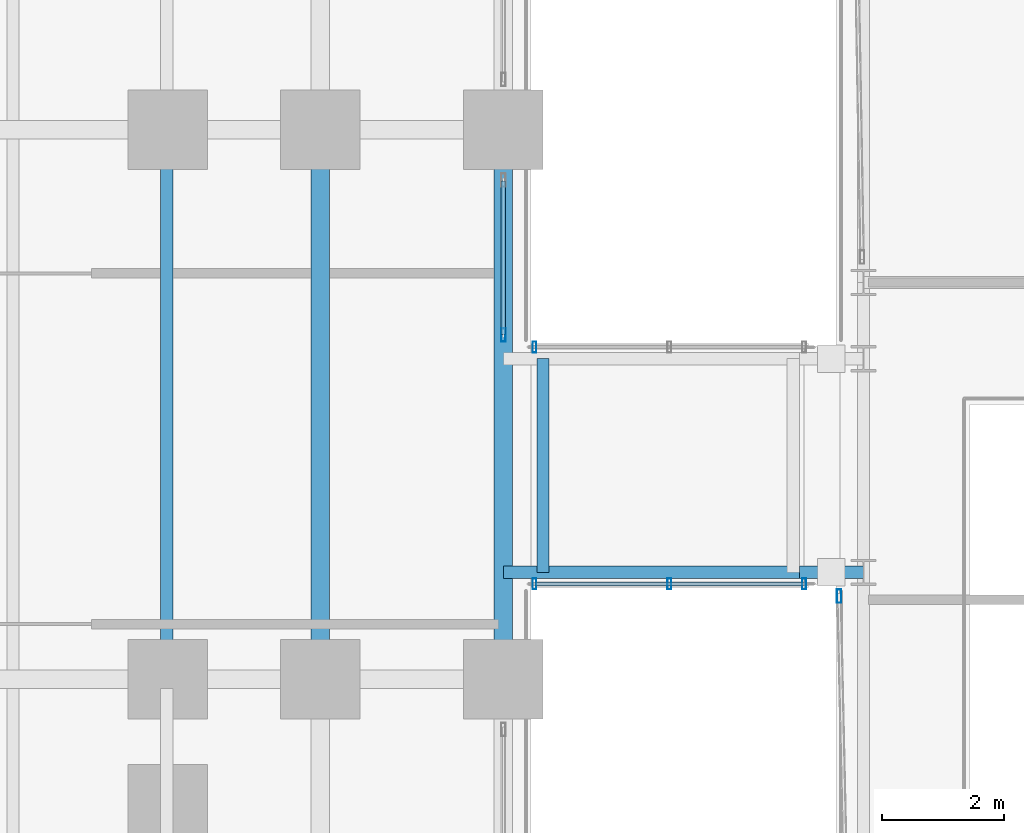
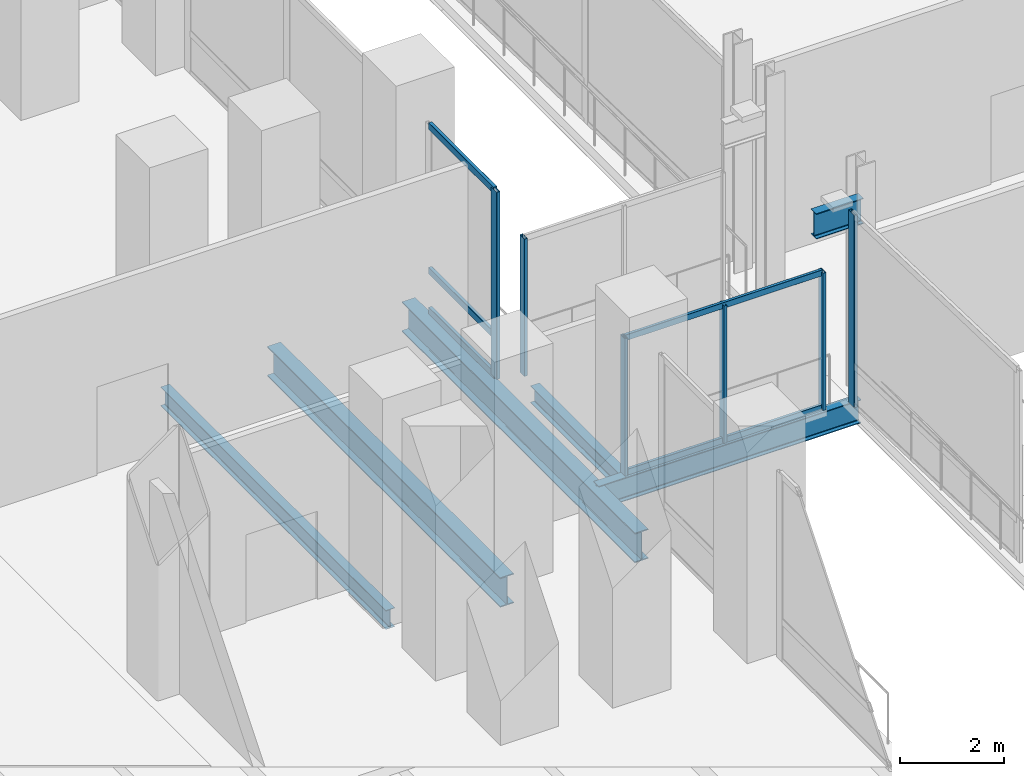
# One storey, part 14 of 31: 11 members, 6 beams, 4 elements without a shape of their own.
"""IFC4 building model written with IfcOpenShell, lengths in metres."""

from ifc_helpers import new_model, si_unit, direction, frame, origin, origin_2d, place, context, subcontext, project, spatial, hollow_rectangle, i_section, extrude, material, material_profile, profile_set, type_object, element, aggregate, save


model = new_model("IFC4")

# Units and contexts
model_context = context("Model", 3, precision=1e-05, world=origin(), true_north=direction((0.0, 1.0)))
body_context = subcontext(model_context, "Body", "Model", "MODEL_VIEW")
ifc_project = project(units=[si_unit("LENGTHUNIT", "METRE"), si_unit("AREAUNIT", "SQUARE_METRE"), si_unit("VOLUMEUNIT", "CUBIC_METRE"), si_unit("PLANEANGLEUNIT", "RADIAN"), si_unit("MASSUNIT", "GRAM", prefix="KILO")], contexts=[model_context])

# Site, building, storey
site_placement = place(None, origin())
site = spatial("IfcSite", under=ifc_project, at=site_placement, CompositionType="ELEMENT")
building_placement = place(site_placement, origin())
building = spatial("IfcBuilding", under=site, at=building_placement, Name="Noeulbin Bourse Tower", CompositionType="ELEMENT")
storey_placement = place(building_placement, frame((0.0, 0.0, 11.199951171875)))
storey = spatial("IfcBuildingStorey", under=building, at=storey_placement, Name="L03", CompositionType="ELEMENT", Elevation=11.199951171875)

# Beams
ifc_material_1 = material(Name="Steel S355", Category="steel")
ifc_material_profile_1 = material_profile(ifc_material_1, i_section(OverallWidth=0.199951171875, OverallDepth=0.550048828125, WebThickness=0.010009765625, FlangeThickness=0.01611328125, FilletRadius=0.02001953125, at=origin_2d()), Name="H-550x200x10x16", Category="LoadBearing")
ifc_profile_set_1 = profile_set([ifc_material_profile_1], Name="Steel S355")
beam_type_1 = type_object("IfcBeamType", Name="BM-GRD-550", PredefinedType="USERDEFINED", material=ifc_profile_set_1)
beam_1_placement = place(storey_placement, frame((54.550048828125, 21.75, -0.474853515625), z_axis=(1.0, 0.0, 0.0), x_axis=(0.0, 1.0, 0.0)))
element("IfcBeam", 1, at=beam_1_placement, inside=storey, type_object=beam_type_1, Name="Link Bridge Girder L03-1", ObjectType="GIRDER", PredefinedType="USERDEFINED", context=body_context, shape_type="SweptSolid", body=[
    extrude(i_section(OverallWidth=0.199951171875, OverallDepth=0.550048828125, WebThickness=0.010009765625, FlangeThickness=0.01611328125, FilletRadius=0.02001953125, at=origin_2d()), origin(), (0.0, 0.0, 1.0), 5.849853515625),
])
ifc_material_profile_2 = material_profile(ifc_material_1, i_section(OverallWidth=0.199951171875, OverallDepth=0.60009765625, WebThickness=0.010986328125, FlangeThickness=0.01708984375, FilletRadius=0.02197265625, at=origin_2d()), Name="H-600x200x11x17", Category="LoadBearing")
ifc_profile_set_2 = profile_set([ifc_material_profile_2], Name="Steel S355")
beam_type_2 = type_object("IfcBeamType", Name="BM-GRD-600", PredefinedType="USERDEFINED", material=ifc_profile_set_2)
beam_2_placement = place(storey_placement, frame((59.39990234375, 21.75, 4.22998046875), z_axis=(1.0, 0.0, 0.0), x_axis=(0.0, 1.0, 0.0)))
element("IfcBeam", 2, at=beam_2_placement, inside=storey, type_object=beam_type_2, Name="Bridge Bearing Corbel Seat L04-1", ObjectType="GIRDER", PredefinedType="USERDEFINED", context=body_context, shape_type="SweptSolid", body=[
    extrude(i_section(OverallWidth=0.199951171875, OverallDepth=0.60009765625, WebThickness=0.010986328125, FlangeThickness=0.01708984375, FilletRadius=0.02197265625, at=origin_2d()), origin(), (0.0, 0.0, 1.0), 1.050048828125),
])
ifc_material_profile_3 = material_profile(ifc_material_1, i_section(OverallWidth=0.300048828125, OverallDepth=0.699951171875, WebThickness=0.012939453125, FlangeThickness=0.02392578125, FilletRadius=0.02392578125, at=origin_2d()), Name="H-700x300x13x24", Category="LoadBearing")
ifc_profile_set_3 = profile_set([ifc_material_profile_3], Name="Steel S355")
beam_type_3 = type_object("IfcBeamType", Name="BM-GRD-700", PredefinedType="USERDEFINED", material=ifc_profile_set_3)
for number, where, z_axis, x_axis, name in (
    (3, (51.550048828125, 20.0, -0.599853515625), (0.0, 1.0, 0.0), (-1.0, 0.0, 0.0), "Podium Primary Girder NS L03-098"),
    (4, (54.550048828125, 20.0, -0.599853515625), (0.0, 1.0, 0.0), (-1.0, 0.0, 0.0), "Podium Primary Girder NS L03-104"),
):
    element("IfcBeam", number, at=place(storey_placement, frame(where, z_axis=z_axis, x_axis=x_axis)), inside=storey, type_object=beam_type_3, Name=name, ObjectType="GIRDER", PredefinedType="USERDEFINED", context=body_context, shape_type="SweptSolid", body=[
        extrude(i_section(OverallWidth=0.300048828125, OverallDepth=0.699951171875, WebThickness=0.012939453125, FlangeThickness=0.02392578125, FilletRadius=0.02392578125, at=origin_2d()), origin(), (0.0, 0.0, 1.0), 9.0),
    ])
ifc_material_profile_4 = material_profile(ifc_material_1, i_section(OverallWidth=0.199951171875, OverallDepth=0.39990234375, WebThickness=0.008056640625, FlangeThickness=0.012939453125, FilletRadius=0.01611328125, at=origin_2d()), Name="H-400x200x8x13", Category="LoadBearing")
ifc_profile_set_4 = profile_set([ifc_material_profile_4], Name="Steel S355")
beam_type_4 = type_object("IfcBeamType", Name="BM-SEC-400", PredefinedType="BEAM", material=ifc_profile_set_4)
beam_3_placement = place(storey_placement, frame((55.199951171875, 21.75, -0.39990234375), z_axis=(0.0, 1.0, 0.0), x_axis=(-1.0, 0.0, 0.0)))
element("IfcBeam", 5, at=beam_3_placement, inside=storey, type_object=beam_type_4, Name="BM-L03-BRGX-1", PredefinedType="BEAM", context=body_context, shape_type="SweptSolid", body=[
    extrude(i_section(OverallWidth=0.199951171875, OverallDepth=0.39990234375, WebThickness=0.008056640625, FlangeThickness=0.012939453125, FilletRadius=0.01611328125, at=origin_2d()), origin(), (0.0, 0.0, 1.0), 3.5),
])
ifc_material_profile_5 = material_profile(ifc_material_1, i_section(OverallWidth=0.199951171875, OverallDepth=0.449951171875, WebThickness=0.009033203125, FlangeThickness=0.013916015625, FilletRadius=0.01806640625, at=origin_2d()), Name="H-450x200x9x14", Category="LoadBearing")
ifc_profile_set_5 = profile_set([ifc_material_profile_5], Name="Steel S355")
beam_type_5 = type_object("IfcBeamType", Name="BM-SEC-450", PredefinedType="BEAM", material=ifc_profile_set_5)
beam_4_placement = place(storey_placement, frame((49.033203125, 20.14990234375, -0.474853515625), z_axis=(0.0, 1.0, 0.0), x_axis=(-1.0, 0.0, 0.0)))
element("IfcBeam", 6, at=beam_4_placement, inside=storey, type_object=beam_type_5, Name="Podium Secondary Beam L03-081", PredefinedType="BEAM", context=body_context, shape_type="SweptSolid", body=[
    extrude(i_section(OverallWidth=0.199951171875, OverallDepth=0.449951171875, WebThickness=0.009033203125, FlangeThickness=0.013916015625, FilletRadius=0.01806640625, at=origin_2d()), origin(), (0.0, 0.0, 1.0), 8.7001953125),
])

# Curtain wall, member
ifc_material_2 = material(Name="Laminated Clear Low-E Glass", Category="glass")
curtain_wall_type_1 = type_object("IfcCurtainWallType", Name="CW-SYS-1", PredefinedType="NOTDEFINED", material=ifc_material_2)
curtain_wall_1_placement = place(storey_placement, origin())
curtain_wall_1 = element("IfcCurtainWall", 7, at=curtain_wall_1_placement, inside=storey, type_object=curtain_wall_type_1, Name="Unitised Curtain Wall CW-L03-POD-E2-S1", PredefinedType="NOTDEFINED")
ifc_material_3 = material(Name="Anodised Aluminium 6063-T6", Category="aluminium")
ifc_material_profile_6 = material_profile(ifc_material_3, hollow_rectangle(XDim=0.074951171875, YDim=0.219970703125, WallThickness=0.0048828125, InnerFilletRadius=0.00244140625, OuterFilletRadius=0.0048828125, at=origin_2d()), Name="ALU-MULL-75x220x5", Category="LoadBearing")
ifc_profile_set_6 = profile_set([ifc_material_profile_6], Name="Anodised Aluminium 6063-T6")
member_type_1 = type_object("IfcMemberType", Name="CW-SYS-1-MUL", PredefinedType="MULLION", material=ifc_profile_set_6)
member_1_placement = place(storey_placement, frame((54.550048828125, 25.639892578125, -0.02001953125), z_axis=(0.0, 0.0, 1.0), x_axis=(1.0, 0.0, 0.0)))
member_1 = element("IfcMember", 8, at=member_1_placement, type_object=member_type_1, Name="Curtain Wall Mullion CW-L03-POD-E2-S1-M00", PredefinedType="MULLION", context=body_context, shape_type="SweptSolid", body=[
    extrude(hollow_rectangle(XDim=0.074951171875, YDim=0.219970703125, WallThickness=0.0048828125, InnerFilletRadius=0.00244140625, OuterFilletRadius=0.0048828125, at=origin_2d()), origin(), (0.0, 0.0, 1.0), 4.41015625),
])

curtain_wall_2_placement = place(storey_placement, origin())
curtain_wall_2 = element("IfcCurtainWall", 9, at=curtain_wall_2_placement, inside=storey, type_object=curtain_wall_type_1, Name="Unitised Curtain Wall CW-L03-MKT-W1-S2", PredefinedType="NOTDEFINED")
member_2_placement = place(storey_placement, frame((60.05078125, 21.360107421875, -0.02001953125), z_axis=(0.0, 0.0, 1.0), x_axis=(1.0, 0.0, 0.0)))
member_2 = element("IfcMember", 10, at=member_2_placement, type_object=member_type_1, Name="Curtain Wall Mullion CW-L03-MKT-W1-S2-M01", PredefinedType="MULLION", context=body_context, shape_type="SweptSolid", body=[
    extrude(hollow_rectangle(XDim=0.074951171875, YDim=0.219970703125, WallThickness=0.0048828125, InnerFilletRadius=0.00244140625, OuterFilletRadius=0.0048828125, at=origin_2d()), origin(), (0.0, 0.0, 1.0), 4.5400390625),
])
aggregate(curtain_wall_2, [member_2])

# Member
ifc_material_profile_7 = material_profile(ifc_material_3, hollow_rectangle(XDim=0.074951171875, YDim=0.159912109375, WallThickness=0.0048828125, InnerFilletRadius=0.00244140625, OuterFilletRadius=0.0048828125, at=origin_2d()), Name="ALU-TRAN-75x160x5", Category="LoadBearing")
ifc_profile_set_7 = profile_set([ifc_material_profile_7], Name="Anodised Aluminium 6063-T6")
member_type_2 = type_object("IfcMemberType", Name="CW-SYS-1-TRN", PredefinedType="USERDEFINED", material=ifc_profile_set_7)
member_3_placement = place(storey_placement, frame((54.550048828125, 25.64990234375, 0.010009765625), z_axis=(0.0, 1.0, 0.0), x_axis=(-1.0, 0.0, 0.0)))
member_3 = element("IfcMember", 11, at=member_3_placement, type_object=member_type_2, Name="Curtain Wall Transom CW-L03-POD-E2-S1-T00", ObjectType="TRANSOM", PredefinedType="USERDEFINED", context=body_context, shape_type="SweptSolid", body=[
    extrude(hollow_rectangle(XDim=0.074951171875, YDim=0.159912109375, WallThickness=0.0048828125, InnerFilletRadius=0.00244140625, OuterFilletRadius=0.0048828125, at=origin_2d()), origin(), (0.0, 0.0, 1.0), 2.51513671875),
])

member_4_placement = place(storey_placement, frame((54.550048828125, 25.64990234375, 0.949951171875), z_axis=(0.0, 1.0, 0.0), x_axis=(-1.0, 0.0, 0.0)))
member_4 = element("IfcMember", 12, at=member_4_placement, type_object=member_type_2, Name="Curtain Wall Transom CW-L03-POD-E2-S1-T01", ObjectType="TRANSOM", PredefinedType="USERDEFINED", context=body_context, shape_type="SweptSolid", body=[
    extrude(hollow_rectangle(XDim=0.074951171875, YDim=0.159912109375, WallThickness=0.0048828125, InnerFilletRadius=0.00244140625, OuterFilletRadius=0.0048828125, at=origin_2d()), origin(), (0.0, 0.0, 1.0), 2.51513671875),
])

member_5_placement = place(storey_placement, frame((54.550048828125, 25.64990234375, 4.360107421875), z_axis=(0.0, 1.0, 0.0), x_axis=(-1.0, 0.0, 0.0)))
member_5 = element("IfcMember", 13, at=member_5_placement, type_object=member_type_2, Name="Curtain Wall Transom CW-L03-POD-E2-S1-T02", ObjectType="TRANSOM", PredefinedType="USERDEFINED", context=body_context, shape_type="SweptSolid", body=[
    extrude(hollow_rectangle(XDim=0.074951171875, YDim=0.159912109375, WallThickness=0.0048828125, InnerFilletRadius=0.00244140625, OuterFilletRadius=0.0048828125, at=origin_2d()), origin(), (0.0, 0.0, 1.0), 2.51513671875),
])

aggregate(curtain_wall_1, [member_1, member_3, member_4, member_5])

# Curtain wall, members
ifc_material_4 = material(Name="Acoustic Laminated Skylight Glazing", Category="glass")
curtain_wall_type_2 = type_object("IfcCurtainWallType", Name="CW-SYS-6", PredefinedType="NOTDEFINED", material=ifc_material_4)
curtain_wall_3_placement = place(storey_placement, origin())
curtain_wall_3 = element("IfcCurtainWall", 14, at=curtain_wall_3_placement, inside=storey, type_object=curtain_wall_type_2, Name="Unitised Curtain Wall CW-L03-BRG-S", PredefinedType="NOTDEFINED")
ifc_material_profile_8 = material_profile(ifc_material_3, hollow_rectangle(XDim=0.06494140625, YDim=0.179931640625, WallThickness=0.00390625, InnerFilletRadius=0.001953125, OuterFilletRadius=0.00390625, at=origin_2d()), Name="ALU-MULL-65x180x4", Category="LoadBearing")
ifc_profile_set_8 = profile_set([ifc_material_profile_8], Name="Anodised Aluminium 6063-T6")
member_type_3 = type_object("IfcMemberType", Name="CW-SYS-6-MUL", PredefinedType="MULLION", material=ifc_profile_set_8)
member_6_placement = place(storey_placement, frame((55.06005859375, 21.56005859375, -0.02001953125), z_axis=(0.0, 0.0, 1.0), x_axis=(1.0, 0.0, 0.0)))
member_6 = element("IfcMember", 15, at=member_6_placement, type_object=member_type_3, Name="Curtain Wall Mullion CW-L03-BRG-S-M00", PredefinedType="MULLION", context=body_context, shape_type="SweptSolid", body=[
    extrude(hollow_rectangle(XDim=0.06494140625, YDim=0.179931640625, WallThickness=0.00390625, InnerFilletRadius=0.001953125, OuterFilletRadius=0.00390625, at=origin_2d()), origin(), (0.0, 0.0, 1.0), 3.239990234375),
])
member_7_placement = place(storey_placement, frame((57.27001953125, 21.56005859375, -0.02001953125), z_axis=(0.0, 0.0, 1.0), x_axis=(1.0, 0.0, 0.0)))
member_7 = element("IfcMember", 16, at=member_7_placement, type_object=member_type_3, Name="Curtain Wall Mullion CW-L03-BRG-S-M01", PredefinedType="MULLION", context=body_context, shape_type="SweptSolid", body=[
    extrude(hollow_rectangle(XDim=0.06494140625, YDim=0.179931640625, WallThickness=0.00390625, InnerFilletRadius=0.001953125, OuterFilletRadius=0.00390625, at=origin_2d()), origin(), (0.0, 0.0, 1.0), 3.239990234375),
])
member_8_placement = place(storey_placement, frame((59.47998046875, 21.56005859375, -0.02001953125), z_axis=(0.0, 0.0, 1.0), x_axis=(1.0, 0.0, 0.0)))
member_8 = element("IfcMember", 17, at=member_8_placement, type_object=member_type_3, Name="Curtain Wall Mullion CW-L03-BRG-S-M02", PredefinedType="MULLION", context=body_context, shape_type="SweptSolid", body=[
    extrude(hollow_rectangle(XDim=0.06494140625, YDim=0.179931640625, WallThickness=0.00390625, InnerFilletRadius=0.001953125, OuterFilletRadius=0.00390625, at=origin_2d()), origin(), (0.0, 0.0, 1.0), 3.239990234375),
])

# Curtain wall, member
curtain_wall_4_placement = place(storey_placement, origin())
curtain_wall_4 = element("IfcCurtainWall", 18, at=curtain_wall_4_placement, inside=storey, type_object=curtain_wall_type_2, Name="Unitised Curtain Wall CW-L03-BRG-N", PredefinedType="NOTDEFINED")
member_9_placement = place(storey_placement, frame((55.06005859375, 25.43994140625, -0.02001953125), z_axis=(0.0, 0.0, 1.0), x_axis=(1.0, 0.0, 0.0)))
member_9 = element("IfcMember", 19, at=member_9_placement, type_object=member_type_3, Name="Curtain Wall Mullion CW-L03-BRG-N-M00", PredefinedType="MULLION", context=body_context, shape_type="SweptSolid", body=[
    extrude(hollow_rectangle(XDim=0.06494140625, YDim=0.179931640625, WallThickness=0.00390625, InnerFilletRadius=0.001953125, OuterFilletRadius=0.00390625, at=origin_2d()), origin(), (0.0, 0.0, 1.0), 3.239990234375),
])
aggregate(curtain_wall_4, [member_9])

# Member
ifc_material_profile_9 = material_profile(ifc_material_3, hollow_rectangle(XDim=0.06494140625, YDim=0.139892578125, WallThickness=0.00390625, InnerFilletRadius=0.001953125, OuterFilletRadius=0.00390625, at=origin_2d()), Name="ALU-TRAN-65x140x4", Category="LoadBearing")
ifc_profile_set_9 = profile_set([ifc_material_profile_9], Name="Anodised Aluminium 6063-T6")
member_type_4 = type_object("IfcMemberType", Name="CW-SYS-6-TRN", PredefinedType="USERDEFINED", material=ifc_profile_set_9)
member_10_placement = place(storey_placement, frame((55.070068359375, 21.56005859375, 0.010009765625), z_axis=(1.0, 0.0, 0.0), x_axis=(0.0, 1.0, 0.0)))
member_10 = element("IfcMember", 20, at=member_10_placement, type_object=member_type_4, Name="Curtain Wall Transom CW-L03-BRG-S-T00", ObjectType="TRANSOM", PredefinedType="USERDEFINED", context=body_context, shape_type="SweptSolid", body=[
    extrude(hollow_rectangle(XDim=0.06494140625, YDim=0.139892578125, WallThickness=0.00390625, InnerFilletRadius=0.001953125, OuterFilletRadius=0.00390625, at=origin_2d()), origin(), (0.0, 0.0, 1.0), 4.39990234375),
])

member_11_placement = place(storey_placement, frame((55.070068359375, 21.56005859375, 3.18994140625), z_axis=(1.0, 0.0, 0.0), x_axis=(0.0, 1.0, 0.0)))
member_11 = element("IfcMember", 21, at=member_11_placement, type_object=member_type_4, Name="Curtain Wall Transom CW-L03-BRG-S-T01", ObjectType="TRANSOM", PredefinedType="USERDEFINED", context=body_context, shape_type="SweptSolid", body=[
    extrude(hollow_rectangle(XDim=0.06494140625, YDim=0.139892578125, WallThickness=0.00390625, InnerFilletRadius=0.001953125, OuterFilletRadius=0.00390625, at=origin_2d()), origin(), (0.0, 0.0, 1.0), 4.39990234375),
])

aggregate(curtain_wall_3, [member_6, member_7, member_8, member_10, member_11])

save(model, "model.ifc")
